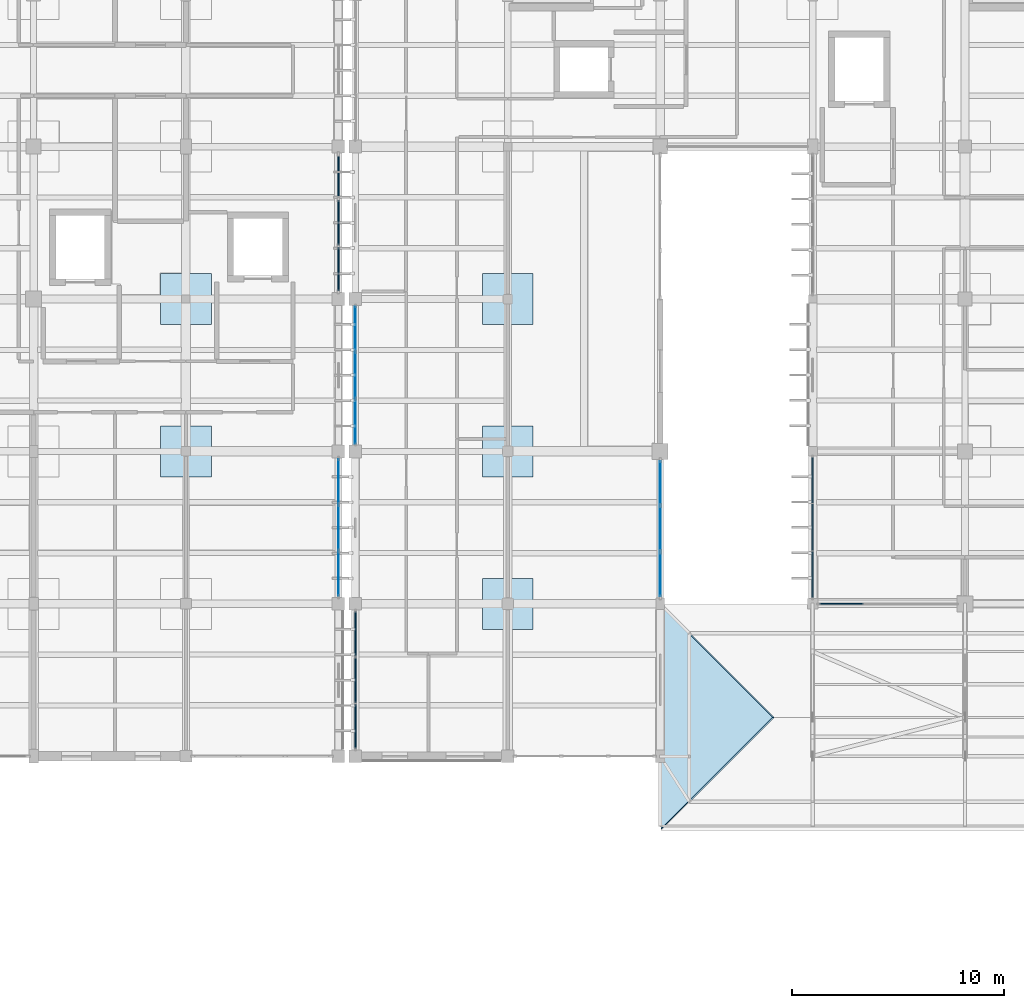
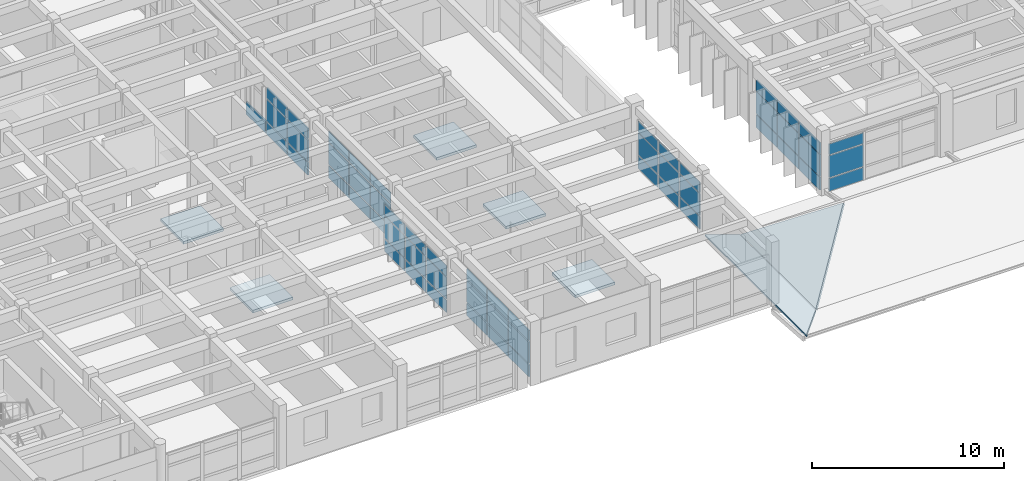
# One storey, part 50 of 100: 55 plates, 7 slabs, 8 elements without a shape of their own.
"""IFC4 building model written with IfcOpenShell, lengths in metres."""

from ifc_helpers import new_model, si_unit, direction, frame, origin, origin_2d, place, context, subcontext, project, spatial, polyline, rectangle, outline, extrude, material, layer, layer_set, type_object, element, aggregate, save


model = new_model("IFC4")

# Units and contexts
model_context = context("Model", 3, precision=1e-05, world=origin(), true_north=direction((0.0, 1.0)))
body_context = subcontext(model_context, "Body", "Model", "MODEL_VIEW")
ifc_project = project(units=[si_unit("LENGTHUNIT", "METRE"), si_unit("AREAUNIT", "SQUARE_METRE"), si_unit("VOLUMEUNIT", "CUBIC_METRE"), si_unit("PLANEANGLEUNIT", "RADIAN"), si_unit("MASSUNIT", "GRAM", prefix="KILO")], contexts=[model_context])

# Site, building, storey
site_placement = place(None, origin())
site = spatial("IfcSite", under=ifc_project, at=site_placement, CompositionType="ELEMENT")
building_placement = place(site_placement, origin())
building = spatial("IfcBuilding", under=site, at=building_placement, Name="Steenspoor Specialist Clinic", CompositionType="ELEMENT")
storey_placement = place(building_placement, frame((0.0, 0.0, 9.0)))
storey = spatial("IfcBuildingStorey", under=building, at=storey_placement, Name="L02", CompositionType="ELEMENT", Elevation=9.0)

# Curtain wall, plates
ifc_material_1 = material(Name="Thermally broken aluminium and low-emissivity glass", Category="aluminium")
curtain_wall_type_1 = type_object("IfcCurtainWallType", Name="CW-L00-480X415", PredefinedType="USERDEFINED", material=ifc_material_1)
curtain_wall_1_placement = place(storey_placement, origin())
curtain_wall_1 = element("IfcCurtainWall", 1, at=curtain_wall_1_placement, inside=storey, type_object=curtain_wall_type_1, Name="Unitised Curtain Wall CW-V4-L02-102", ObjectType="UNITISED GLAZING", PredefinedType="USERDEFINED")
ifc_material_2 = material(Name="Double low-emissivity insulated glass", Category="glass")
ifc_layer_1 = layer(ifc_material_2, 0.035888671875)
ifc_layer_set_1 = layer_set([ifc_layer_1], Name="Double low-emissivity insulated glass")
plate_type_1 = type_object("IfcPlateType", Name="CW-PAN-GL36", PredefinedType="CURTAIN_PANEL", material=ifc_layer_set_1)
plate_1_placement = place(storey_placement, frame((66.800048828125, 78.063232421875, 0.06494140625), z_axis=(0.0, 0.0, 1.0), x_axis=(0.0, -1.0, 0.0)))
plate_1 = element("IfcPlate", 2, at=plate_1_placement, type_object=plate_type_1, Name="CW-06 panel 1.1", PredefinedType="CURTAIN_PANEL", context=body_context, shape_type="SweptSolid", body=[
    extrude(rectangle(XDim=2.063232421875, YDim=0.035888671875, at=origin_2d()), origin(), (0.0, 0.0, 1.0), 0.802490234375),
])
plate_2_placement = place(storey_placement, frame((66.800048828125, 78.063232421875, 0.9326171875), z_axis=(0.0, 0.0, 1.0), x_axis=(0.0, -1.0, 0.0)))
plate_2 = element("IfcPlate", 3, at=plate_2_placement, type_object=plate_type_1, Name="CW-06 panel 1.2", PredefinedType="CURTAIN_PANEL", context=body_context, shape_type="SweptSolid", body=[
    extrude(rectangle(XDim=2.063232421875, YDim=0.035888671875, at=origin_2d()), origin(), (0.0, 0.0, 1.0), 1.385009765625),
])
plate_3_placement = place(storey_placement, frame((66.800048828125, 78.063232421875, 2.38232421875), z_axis=(0.0, 0.0, 1.0), x_axis=(0.0, -1.0, 0.0)))
plate_3 = element("IfcPlate", 4, at=plate_3_placement, type_object=plate_type_1, Name="CW-06 panel 1.3", PredefinedType="CURTAIN_PANEL", context=body_context, shape_type="SweptSolid", body=[
    extrude(rectangle(XDim=2.063232421875, YDim=0.035888671875, at=origin_2d()), origin(), (0.0, 0.0, 1.0), 0.6826171875),
])
plate_4_placement = place(storey_placement, frame((66.800048828125, 75.89990234375, 0.06494140625), z_axis=(0.0, 0.0, 1.0), x_axis=(0.0, -1.0, 0.0)))
plate_4 = element("IfcPlate", 5, at=plate_4_placement, type_object=plate_type_1, Name="CW-06 panel 2.1", PredefinedType="CURTAIN_PANEL", context=body_context, shape_type="SweptSolid", body=[
    extrude(rectangle(XDim=2.103271484375, YDim=0.035888671875, at=origin_2d()), origin(), (0.0, 0.0, 1.0), 0.802490234375),
])
plate_5_placement = place(storey_placement, frame((66.800048828125, 75.89990234375, 0.9326171875), z_axis=(0.0, 0.0, 1.0), x_axis=(0.0, -1.0, 0.0)))
plate_5 = element("IfcPlate", 6, at=plate_5_placement, type_object=plate_type_1, Name="CW-06 panel 2.2", PredefinedType="CURTAIN_PANEL", context=body_context, shape_type="SweptSolid", body=[
    extrude(rectangle(XDim=2.103271484375, YDim=0.035888671875, at=origin_2d()), origin(), (0.0, 0.0, 1.0), 1.385009765625),
])
plate_6_placement = place(storey_placement, frame((66.800048828125, 75.89990234375, 2.38232421875), z_axis=(0.0, 0.0, 1.0), x_axis=(0.0, -1.0, 0.0)))
plate_6 = element("IfcPlate", 7, at=plate_6_placement, type_object=plate_type_1, Name="CW-06 panel 2.3", PredefinedType="CURTAIN_PANEL", context=body_context, shape_type="SweptSolid", body=[
    extrude(rectangle(XDim=2.103271484375, YDim=0.035888671875, at=origin_2d()), origin(), (0.0, 0.0, 1.0), 0.6826171875),
])
plate_7_placement = place(storey_placement, frame((66.800048828125, 73.736572265625, 0.06494140625), z_axis=(0.0, 0.0, 1.0), x_axis=(0.0, -1.0, 0.0)))
plate_7 = element("IfcPlate", 8, at=plate_7_placement, type_object=plate_type_1, Name="CW-06 panel 3.1", PredefinedType="CURTAIN_PANEL", context=body_context, shape_type="SweptSolid", body=[
    extrude(rectangle(XDim=2.063232421875, YDim=0.035888671875, at=origin_2d()), origin(), (0.0, 0.0, 1.0), 0.802490234375),
])
plate_8_placement = place(storey_placement, frame((66.800048828125, 73.736572265625, 0.9326171875), z_axis=(0.0, 0.0, 1.0), x_axis=(0.0, -1.0, 0.0)))
plate_8 = element("IfcPlate", 9, at=plate_8_placement, type_object=plate_type_1, Name="CW-06 panel 3.2", PredefinedType="CURTAIN_PANEL", context=body_context, shape_type="SweptSolid", body=[
    extrude(rectangle(XDim=2.063232421875, YDim=0.035888671875, at=origin_2d()), origin(), (0.0, 0.0, 1.0), 1.385009765625),
])
plate_9_placement = place(storey_placement, frame((66.800048828125, 73.736572265625, 2.38232421875), z_axis=(0.0, 0.0, 1.0), x_axis=(0.0, -1.0, 0.0)))
plate_9 = element("IfcPlate", 10, at=plate_9_placement, type_object=plate_type_1, Name="CW-06 panel 3.3", PredefinedType="CURTAIN_PANEL", context=body_context, shape_type="SweptSolid", body=[
    extrude(rectangle(XDim=2.063232421875, YDim=0.035888671875, at=origin_2d()), origin(), (0.0, 0.0, 1.0), 0.6826171875),
])
aggregate(curtain_wall_1, [plate_1, plate_2, plate_3, plate_4, plate_5, plate_6, plate_7, plate_8, plate_9])

curtain_wall_type_2 = type_object("IfcCurtainWallType", Name="CW-TYP-660X355", PredefinedType="USERDEFINED", material=ifc_material_1)
curtain_wall_2_placement = place(storey_placement, origin())
curtain_wall_2 = element("IfcCurtainWall", 11, at=curtain_wall_2_placement, inside=storey, type_object=curtain_wall_type_2, Name="Unitised Curtain Wall CW-V4-L02-105", ObjectType="UNITISED GLAZING", PredefinedType="USERDEFINED")
plate_10_placement = place(storey_placement, frame((52.39990234375, 80.96630859375, 0.080078125), z_axis=(0.0, 0.0, 1.0), x_axis=(0.0, 1.0, 0.0)))
plate_10 = element("IfcPlate", 12, at=plate_10_placement, type_object=plate_type_1, Name="CW-09 panel 1.1", PredefinedType="CURTAIN_PANEL", context=body_context, shape_type="SweptSolid", body=[
    extrude(rectangle(XDim=2.1025390625, YDim=0.035888671875, at=origin_2d()), origin(), (0.0, 0.0, 1.0), 0.780029296875),
])
plate_11_placement = place(storey_placement, frame((52.39990234375, 80.96630859375, 0.93994140625), z_axis=(0.0, 0.0, 1.0), x_axis=(0.0, 1.0, 0.0)))
plate_11 = element("IfcPlate", 13, at=plate_11_placement, type_object=plate_type_1, Name="CW-09 panel 1.2", PredefinedType="CURTAIN_PANEL", context=body_context, shape_type="SweptSolid", body=[
    extrude(rectangle(XDim=2.1025390625, YDim=0.035888671875, at=origin_2d()), origin(), (0.0, 0.0, 1.0), 1.3701171875),
])
plate_12_placement = place(storey_placement, frame((52.39990234375, 80.96630859375, 2.39013671875), z_axis=(0.0, 0.0, 1.0), x_axis=(0.0, 1.0, 0.0)))
plate_12 = element("IfcPlate", 14, at=plate_12_placement, type_object=plate_type_1, Name="CW-09 panel 1.3", PredefinedType="CURTAIN_PANEL", context=body_context, shape_type="SweptSolid", body=[
    extrude(rectangle(XDim=2.1025390625, YDim=0.035888671875, at=origin_2d()), origin(), (0.0, 0.0, 1.0), 0.659912109375),
])
plate_13_placement = place(storey_placement, frame((52.39990234375, 83.14990234375, 0.080078125), z_axis=(0.0, 0.0, 1.0), x_axis=(0.0, 1.0, 0.0)))
plate_13 = element("IfcPlate", 15, at=plate_13_placement, type_object=plate_type_1, Name="CW-09 panel 2.1", PredefinedType="CURTAIN_PANEL", context=body_context, shape_type="SweptSolid", body=[
    extrude(rectangle(XDim=2.135009765625, YDim=0.035888671875, at=origin_2d()), origin(), (0.0, 0.0, 1.0), 0.780029296875),
])
plate_14_placement = place(storey_placement, frame((52.39990234375, 83.14990234375, 0.93994140625), z_axis=(0.0, 0.0, 1.0), x_axis=(0.0, 1.0, 0.0)))
plate_14 = element("IfcPlate", 16, at=plate_14_placement, type_object=plate_type_1, Name="CW-09 panel 2.2", PredefinedType="CURTAIN_PANEL", context=body_context, shape_type="SweptSolid", body=[
    extrude(rectangle(XDim=2.135009765625, YDim=0.035888671875, at=origin_2d()), origin(), (0.0, 0.0, 1.0), 1.3701171875),
])
plate_15_placement = place(storey_placement, frame((52.39990234375, 83.14990234375, 2.39013671875), z_axis=(0.0, 0.0, 1.0), x_axis=(0.0, 1.0, 0.0)))
plate_15 = element("IfcPlate", 17, at=plate_15_placement, type_object=plate_type_1, Name="CW-09 panel 2.3", PredefinedType="CURTAIN_PANEL", context=body_context, shape_type="SweptSolid", body=[
    extrude(rectangle(XDim=2.135009765625, YDim=0.035888671875, at=origin_2d()), origin(), (0.0, 0.0, 1.0), 0.659912109375),
])
plate_16_placement = place(storey_placement, frame((52.39990234375, 85.333740234375, 0.080078125), z_axis=(0.0, 0.0, 1.0), x_axis=(0.0, 1.0, 0.0)))
plate_16 = element("IfcPlate", 18, at=plate_16_placement, type_object=plate_type_1, Name="CW-09 panel 3.1", PredefinedType="CURTAIN_PANEL", context=body_context, shape_type="SweptSolid", body=[
    extrude(rectangle(XDim=2.1025390625, YDim=0.035888671875, at=origin_2d()), origin(), (0.0, 0.0, 1.0), 0.780029296875),
])
plate_17_placement = place(storey_placement, frame((52.39990234375, 85.333740234375, 0.93994140625), z_axis=(0.0, 0.0, 1.0), x_axis=(0.0, 1.0, 0.0)))
plate_17 = element("IfcPlate", 19, at=plate_17_placement, type_object=plate_type_1, Name="CW-09 panel 3.2", PredefinedType="CURTAIN_PANEL", context=body_context, shape_type="SweptSolid", body=[
    extrude(rectangle(XDim=2.1025390625, YDim=0.035888671875, at=origin_2d()), origin(), (0.0, 0.0, 1.0), 1.3701171875),
])
plate_18_placement = place(storey_placement, frame((52.39990234375, 85.333740234375, 2.39013671875), z_axis=(0.0, 0.0, 1.0), x_axis=(0.0, 1.0, 0.0)))
plate_18 = element("IfcPlate", 20, at=plate_18_placement, type_object=plate_type_1, Name="CW-09 panel 3.3", PredefinedType="CURTAIN_PANEL", context=body_context, shape_type="SweptSolid", body=[
    extrude(rectangle(XDim=2.1025390625, YDim=0.035888671875, at=origin_2d()), origin(), (0.0, 0.0, 1.0), 0.659912109375),
])
aggregate(curtain_wall_2, [plate_10, plate_11, plate_12, plate_13, plate_14, plate_15, plate_16, plate_17, plate_18])

curtain_wall_type_3 = type_object("IfcCurtainWallType", Name="CW-TYP-480X355", PredefinedType="USERDEFINED", material=ifc_material_1)
curtain_wall_3_placement = place(storey_placement, origin())
curtain_wall_3 = element("IfcCurtainWall", 21, at=curtain_wall_3_placement, inside=storey, type_object=curtain_wall_type_3, Name="Unitised Curtain Wall CW-V5-L02-156", ObjectType="UNITISED GLAZING", PredefinedType="USERDEFINED")
plate_19_placement = place(storey_placement, frame((51.60009765625, 78.1298828125, 0.070068359375), z_axis=(0.0, 0.0, 1.0), x_axis=(0.0, -1.0, 0.0)))
plate_19 = element("IfcPlate", 22, at=plate_19_placement, type_object=plate_type_1, Name="CW-12 panel 1.1", PredefinedType="CURTAIN_PANEL", context=body_context, shape_type="SweptSolid", body=[
    extrude(rectangle(XDim=2.080078125, YDim=0.035888671875, at=origin_2d()), origin(), (0.0, 0.0, 1.0), 0.794921875),
])
plate_20_placement = place(storey_placement, frame((51.60009765625, 78.1298828125, 0.93505859375), z_axis=(0.0, 0.0, 1.0), x_axis=(0.0, -1.0, 0.0)))
plate_20 = element("IfcPlate", 23, at=plate_20_placement, type_object=plate_type_1, Name="CW-12 panel 1.2", PredefinedType="CURTAIN_PANEL", context=body_context, shape_type="SweptSolid", body=[
    extrude(rectangle(XDim=2.080078125, YDim=0.035888671875, at=origin_2d()), origin(), (0.0, 0.0, 1.0), 1.3798828125),
])
plate_21_placement = place(storey_placement, frame((51.60009765625, 78.1298828125, 2.384765625), z_axis=(0.0, 0.0, 1.0), x_axis=(0.0, -1.0, 0.0)))
plate_21 = element("IfcPlate", 24, at=plate_21_placement, type_object=plate_type_1, Name="CW-12 panel 1.3", PredefinedType="CURTAIN_PANEL", context=body_context, shape_type="SweptSolid", body=[
    extrude(rectangle(XDim=2.080078125, YDim=0.035888671875, at=origin_2d()), origin(), (0.0, 0.0, 1.0), 0.675048828125),
])
plate_22_placement = place(storey_placement, frame((51.60009765625, 75.949951171875, 0.070068359375), z_axis=(0.0, 0.0, 1.0), x_axis=(0.0, -1.0, 0.0)))
plate_22 = element("IfcPlate", 25, at=plate_22_placement, type_object=plate_type_1, Name="CW-12 panel 2.1", PredefinedType="CURTAIN_PANEL", context=body_context, shape_type="SweptSolid", body=[
    extrude(rectangle(XDim=2.1201171875, YDim=0.035888671875, at=origin_2d()), origin(), (0.0, 0.0, 1.0), 0.794921875),
])
plate_23_placement = place(storey_placement, frame((51.60009765625, 75.949951171875, 0.93505859375), z_axis=(0.0, 0.0, 1.0), x_axis=(0.0, -1.0, 0.0)))
plate_23 = element("IfcPlate", 26, at=plate_23_placement, type_object=plate_type_1, Name="CW-12 panel 2.2", PredefinedType="CURTAIN_PANEL", context=body_context, shape_type="SweptSolid", body=[
    extrude(rectangle(XDim=2.1201171875, YDim=0.035888671875, at=origin_2d()), origin(), (0.0, 0.0, 1.0), 1.3798828125),
])
plate_24_placement = place(storey_placement, frame((51.60009765625, 75.949951171875, 2.384765625), z_axis=(0.0, 0.0, 1.0), x_axis=(0.0, -1.0, 0.0)))
plate_24 = element("IfcPlate", 27, at=plate_24_placement, type_object=plate_type_1, Name="CW-12 panel 2.3", PredefinedType="CURTAIN_PANEL", context=body_context, shape_type="SweptSolid", body=[
    extrude(rectangle(XDim=2.1201171875, YDim=0.035888671875, at=origin_2d()), origin(), (0.0, 0.0, 1.0), 0.675048828125),
])
plate_25_placement = place(storey_placement, frame((51.60009765625, 73.77001953125, 0.070068359375), z_axis=(0.0, 0.0, 1.0), x_axis=(0.0, -1.0, 0.0)))
plate_25 = element("IfcPlate", 28, at=plate_25_placement, type_object=plate_type_1, Name="CW-12 panel 3.1", PredefinedType="CURTAIN_PANEL", context=body_context, shape_type="SweptSolid", body=[
    extrude(rectangle(XDim=2.080078125, YDim=0.035888671875, at=origin_2d()), origin(), (0.0, 0.0, 1.0), 0.794921875),
])
plate_26_placement = place(storey_placement, frame((51.60009765625, 73.77001953125, 0.93505859375), z_axis=(0.0, 0.0, 1.0), x_axis=(0.0, -1.0, 0.0)))
plate_26 = element("IfcPlate", 29, at=plate_26_placement, type_object=plate_type_1, Name="CW-12 panel 3.2", PredefinedType="CURTAIN_PANEL", context=body_context, shape_type="SweptSolid", body=[
    extrude(rectangle(XDim=2.080078125, YDim=0.035888671875, at=origin_2d()), origin(), (0.0, 0.0, 1.0), 1.3798828125),
])
plate_27_placement = place(storey_placement, frame((51.60009765625, 73.77001953125, 2.384765625), z_axis=(0.0, 0.0, 1.0), x_axis=(0.0, -1.0, 0.0)))
plate_27 = element("IfcPlate", 30, at=plate_27_placement, type_object=plate_type_1, Name="CW-12 panel 3.3", PredefinedType="CURTAIN_PANEL", context=body_context, shape_type="SweptSolid", body=[
    extrude(rectangle(XDim=2.080078125, YDim=0.035888671875, at=origin_2d()), origin(), (0.0, 0.0, 1.0), 0.675048828125),
])
aggregate(curtain_wall_3, [plate_19, plate_20, plate_21, plate_22, plate_23, plate_24, plate_25, plate_26, plate_27])

curtain_wall_type_4 = type_object("IfcCurtainWallType", Name="CW-HALL-660X820", PredefinedType="USERDEFINED", material=ifc_material_1)
curtain_wall_4_placement = place(storey_placement, origin())
curtain_wall_4 = element("IfcCurtainWall", 31, at=curtain_wall_4_placement, inside=storey, type_object=curtain_wall_type_4, Name="Unitised Curtain Wall CW-V4-L02-097", ObjectType="UNITISED GLAZING", PredefinedType="USERDEFINED")
ifc_material_3 = material(Name="Triple acoustic laminated low-emissivity glass", Category="glass")
ifc_layer_2 = layer(ifc_material_3, 0.048095703125)
ifc_layer_set_2 = layer_set([ifc_layer_2], Name="Triple acoustic laminated low-emissivity glass")
plate_type_2 = type_object("IfcPlateType", Name="CW-PAN-GL48", PredefinedType="CURTAIN_PANEL", material=ifc_layer_set_2)
plate_28_placement = place(storey_placement, frame((75.36572265625, 72.35009765625, 0.06494140625), z_axis=(0.0, 0.0, 1.0), x_axis=(-1.0, 0.0, 0.0)))
plate_28 = element("IfcPlate", 32, at=plate_28_placement, type_object=plate_type_2, Name="CW-01 panel 3.1", PredefinedType="CURTAIN_PANEL", context=body_context, shape_type="SweptSolid", body=[
    extrude(rectangle(XDim=2.07177734375, YDim=0.048095703125, at=origin_2d()), origin(), (0.0, 0.0, 1.0), 0.802490234375),
])
plate_29_placement = place(storey_placement, frame((75.36572265625, 72.35009765625, 0.9326171875), z_axis=(0.0, 0.0, 1.0), x_axis=(-1.0, 0.0, 0.0)))
plate_29 = element("IfcPlate", 33, at=plate_29_placement, type_object=plate_type_2, Name="CW-01 panel 3.2", PredefinedType="CURTAIN_PANEL", context=body_context, shape_type="SweptSolid", body=[
    extrude(rectangle(XDim=2.07177734375, YDim=0.048095703125, at=origin_2d()), origin(), (0.0, 0.0, 1.0), 1.385009765625),
])
plate_30_placement = place(storey_placement, frame((75.36572265625, 72.35009765625, 2.38232421875), z_axis=(0.0, 0.0, 1.0), x_axis=(-1.0, 0.0, 0.0)))
plate_30 = element("IfcPlate", 34, at=plate_30_placement, type_object=plate_type_2, Name="CW-01 panel 3.3", PredefinedType="CURTAIN_PANEL", context=body_context, shape_type="SweptSolid", body=[
    extrude(rectangle(XDim=2.07177734375, YDim=0.048095703125, at=origin_2d()), origin(), (0.0, 0.0, 1.0), 0.6826171875),
])
aggregate(curtain_wall_4, [plate_28, plate_29, plate_30])

curtain_wall_type_5 = type_object("IfcCurtainWallType", Name="CW-HALL-650X820", PredefinedType="USERDEFINED", material=ifc_material_1)
curtain_wall_5_placement = place(storey_placement, origin())
curtain_wall_5 = element("IfcCurtainWall", 35, at=curtain_wall_5_placement, inside=storey, type_object=curtain_wall_type_5, Name="Unitised Curtain Wall CW-V4-L02-098", ObjectType="UNITISED GLAZING", PredefinedType="USERDEFINED")
ifc_material_4 = material(Name="Insulated glazed ceramic spandrel panel", Category="glass")
ifc_layer_3 = layer(ifc_material_4, 0.074951171875)
ifc_layer_set_3 = layer_set([ifc_layer_3], Name="Insulated glazed ceramic spandrel panel")
plate_type_3 = type_object("IfcPlateType", Name="CW-PAN-SP75", PredefinedType="CURTAIN_PANEL", material=ifc_layer_set_3)
plate_31_placement = place(storey_placement, frame((74.0, 73.73828125, 0.06005859375), z_axis=(0.0, 0.0, 1.0), x_axis=(0.0, 1.0, 0.0)))
plate_31 = element("IfcPlate", 36, at=plate_31_placement, type_object=plate_type_3, Name="CW-02 panel 1.1", PredefinedType="CURTAIN_PANEL", context=body_context, shape_type="SweptSolid", body=[
    extrude(rectangle(XDim=2.13671875, YDim=0.074951171875, at=origin_2d()), origin(), (0.0, 0.0, 1.0), 0.81005859375),
])
plate_32_placement = place(storey_placement, frame((74.0, 73.73828125, 0.93017578125), z_axis=(0.0, 0.0, 1.0), x_axis=(0.0, 1.0, 0.0)))
plate_32 = element("IfcPlate", 37, at=plate_32_placement, type_object=plate_type_3, Name="CW-02 panel 1.2", PredefinedType="CURTAIN_PANEL", context=body_context, shape_type="SweptSolid", body=[
    extrude(rectangle(XDim=2.13671875, YDim=0.074951171875, at=origin_2d()), origin(), (0.0, 0.0, 1.0), 1.389892578125),
])
plate_33_placement = place(storey_placement, frame((74.0, 73.73828125, 2.380126953125), z_axis=(0.0, 0.0, 1.0), x_axis=(0.0, 1.0, 0.0)))
plate_33 = element("IfcPlate", 38, at=plate_33_placement, type_object=plate_type_3, Name="CW-02 panel 1.3", PredefinedType="CURTAIN_PANEL", context=body_context, shape_type="SweptSolid", body=[
    extrude(rectangle(XDim=2.13671875, YDim=0.074951171875, at=origin_2d()), origin(), (0.0, 0.0, 1.0), 0.68994140625),
])
plate_34_placement = place(storey_placement, frame((74.0, 75.96240234375, 0.06005859375), z_axis=(0.0, 0.0, 1.0), x_axis=(0.0, 1.0, 0.0)))
plate_34 = element("IfcPlate", 39, at=plate_34_placement, type_object=plate_type_3, Name="CW-02 panel 2.1", PredefinedType="CURTAIN_PANEL", context=body_context, shape_type="SweptSolid", body=[
    extrude(rectangle(XDim=2.171630859375, YDim=0.074951171875, at=origin_2d()), origin(), (0.0, 0.0, 1.0), 0.81005859375),
])
plate_35_placement = place(storey_placement, frame((74.0, 75.96240234375, 0.93017578125), z_axis=(0.0, 0.0, 1.0), x_axis=(0.0, 1.0, 0.0)))
plate_35 = element("IfcPlate", 40, at=plate_35_placement, type_object=plate_type_3, Name="CW-02 panel 2.2", PredefinedType="CURTAIN_PANEL", context=body_context, shape_type="SweptSolid", body=[
    extrude(rectangle(XDim=2.171630859375, YDim=0.074951171875, at=origin_2d()), origin(), (0.0, 0.0, 1.0), 1.389892578125),
])
plate_36_placement = place(storey_placement, frame((74.0, 75.96240234375, 2.380126953125), z_axis=(0.0, 0.0, 1.0), x_axis=(0.0, 1.0, 0.0)))
plate_36 = element("IfcPlate", 41, at=plate_36_placement, type_object=plate_type_3, Name="CW-02 panel 2.3", PredefinedType="CURTAIN_PANEL", context=body_context, shape_type="SweptSolid", body=[
    extrude(rectangle(XDim=2.171630859375, YDim=0.074951171875, at=origin_2d()), origin(), (0.0, 0.0, 1.0), 0.68994140625),
])
plate_37_placement = place(storey_placement, frame((74.0, 78.186767578125, 0.06005859375), z_axis=(0.0, 0.0, 1.0), x_axis=(0.0, 1.0, 0.0)))
plate_37 = element("IfcPlate", 42, at=plate_37_placement, type_object=plate_type_3, Name="CW-02 panel 3.1", PredefinedType="CURTAIN_PANEL", context=body_context, shape_type="SweptSolid", body=[
    extrude(rectangle(XDim=2.13671875, YDim=0.074951171875, at=origin_2d()), origin(), (0.0, 0.0, 1.0), 0.81005859375),
])
plate_38_placement = place(storey_placement, frame((74.0, 78.186767578125, 0.93017578125), z_axis=(0.0, 0.0, 1.0), x_axis=(0.0, 1.0, 0.0)))
plate_38 = element("IfcPlate", 43, at=plate_38_placement, type_object=plate_type_3, Name="CW-02 panel 3.2", PredefinedType="CURTAIN_PANEL", context=body_context, shape_type="SweptSolid", body=[
    extrude(rectangle(XDim=2.13671875, YDim=0.074951171875, at=origin_2d()), origin(), (0.0, 0.0, 1.0), 1.389892578125),
])
plate_39_placement = place(storey_placement, frame((74.0, 78.186767578125, 2.380126953125), z_axis=(0.0, 0.0, 1.0), x_axis=(0.0, 1.0, 0.0)))
plate_39 = element("IfcPlate", 44, at=plate_39_placement, type_object=plate_type_3, Name="CW-02 panel 3.3", PredefinedType="CURTAIN_PANEL", context=body_context, shape_type="SweptSolid", body=[
    extrude(rectangle(XDim=2.13671875, YDim=0.074951171875, at=origin_2d()), origin(), (0.0, 0.0, 1.0), 0.68994140625),
])
aggregate(curtain_wall_5, [plate_31, plate_32, plate_33, plate_34, plate_35, plate_36, plate_37, plate_38, plate_39])

curtain_wall_type_6 = type_object("IfcCurtainWallType", Name="CW-L00-240X415", PredefinedType="USERDEFINED", material=ifc_material_1)
curtain_wall_6_placement = place(storey_placement, origin())
curtain_wall_6 = element("IfcCurtainWall", 45, at=curtain_wall_6_placement, inside=storey, type_object=curtain_wall_type_6, Name="Unitised Curtain Wall CW-V4-L02-104", ObjectType="UNITISED GLAZING", PredefinedType="USERDEFINED")
plate_40_placement = place(storey_placement, frame((52.39990234375, 66.5673828125, 0.08984375), z_axis=(0.0, 0.0, 1.0), x_axis=(0.0, 1.0, 0.0)))
plate_40 = element("IfcPlate", 46, at=plate_40_placement, type_object=plate_type_3, Name="CW-08 panel 1.1", PredefinedType="CURTAIN_PANEL", context=body_context, shape_type="SweptSolid", body=[
    extrude(rectangle(XDim=2.094970703125, YDim=0.074951171875, at=origin_2d()), origin(), (0.0, 0.0, 1.0), 0.764892578125),
])
plate_41_placement = place(storey_placement, frame((52.39990234375, 66.5673828125, 0.94482421875), z_axis=(0.0, 0.0, 1.0), x_axis=(0.0, 1.0, 0.0)))
plate_41 = element("IfcPlate", 47, at=plate_41_placement, type_object=plate_type_3, Name="CW-08 panel 1.2", PredefinedType="CURTAIN_PANEL", context=body_context, shape_type="SweptSolid", body=[
    extrude(rectangle(XDim=2.094970703125, YDim=0.074951171875, at=origin_2d()), origin(), (0.0, 0.0, 1.0), 1.360107421875),
])
plate_42_placement = place(storey_placement, frame((52.39990234375, 66.5673828125, 2.39501953125), z_axis=(0.0, 0.0, 1.0), x_axis=(0.0, 1.0, 0.0)))
plate_42 = element("IfcPlate", 48, at=plate_42_placement, type_object=plate_type_3, Name="CW-08 panel 1.3", PredefinedType="CURTAIN_PANEL", context=body_context, shape_type="SweptSolid", body=[
    extrude(rectangle(XDim=2.094970703125, YDim=0.074951171875, at=origin_2d()), origin(), (0.0, 0.0, 1.0), 0.64501953125),
])
plate_43_placement = place(storey_placement, frame((52.39990234375, 68.75, 0.08984375), z_axis=(0.0, 0.0, 1.0), x_axis=(0.0, 1.0, 0.0)))
plate_43 = element("IfcPlate", 49, at=plate_43_placement, type_object=plate_type_3, Name="CW-08 panel 2.1", PredefinedType="CURTAIN_PANEL", context=body_context, shape_type="SweptSolid", body=[
    extrude(rectangle(XDim=2.1298828125, YDim=0.074951171875, at=origin_2d()), origin(), (0.0, 0.0, 1.0), 0.764892578125),
])
plate_44_placement = place(storey_placement, frame((52.39990234375, 68.75, 0.94482421875), z_axis=(0.0, 0.0, 1.0), x_axis=(0.0, 1.0, 0.0)))
plate_44 = element("IfcPlate", 50, at=plate_44_placement, type_object=plate_type_3, Name="CW-08 panel 2.2", PredefinedType="CURTAIN_PANEL", context=body_context, shape_type="SweptSolid", body=[
    extrude(rectangle(XDim=2.1298828125, YDim=0.074951171875, at=origin_2d()), origin(), (0.0, 0.0, 1.0), 1.360107421875),
])
plate_45_placement = place(storey_placement, frame((52.39990234375, 68.75, 2.39501953125), z_axis=(0.0, 0.0, 1.0), x_axis=(0.0, 1.0, 0.0)))
plate_45 = element("IfcPlate", 51, at=plate_45_placement, type_object=plate_type_3, Name="CW-08 panel 2.3", PredefinedType="CURTAIN_PANEL", context=body_context, shape_type="SweptSolid", body=[
    extrude(rectangle(XDim=2.1298828125, YDim=0.074951171875, at=origin_2d()), origin(), (0.0, 0.0, 1.0), 0.64501953125),
])
plate_46_placement = place(storey_placement, frame((52.39990234375, 70.9326171875, 0.08984375), z_axis=(0.0, 0.0, 1.0), x_axis=(0.0, 1.0, 0.0)))
plate_46 = element("IfcPlate", 52, at=plate_46_placement, type_object=plate_type_3, Name="CW-08 panel 3.1", PredefinedType="CURTAIN_PANEL", context=body_context, shape_type="SweptSolid", body=[
    extrude(rectangle(XDim=2.094970703125, YDim=0.074951171875, at=origin_2d()), origin(), (0.0, 0.0, 1.0), 0.764892578125),
])
plate_47_placement = place(storey_placement, frame((52.39990234375, 70.9326171875, 0.94482421875), z_axis=(0.0, 0.0, 1.0), x_axis=(0.0, 1.0, 0.0)))
plate_47 = element("IfcPlate", 53, at=plate_47_placement, type_object=plate_type_3, Name="CW-08 panel 3.2", PredefinedType="CURTAIN_PANEL", context=body_context, shape_type="SweptSolid", body=[
    extrude(rectangle(XDim=2.094970703125, YDim=0.074951171875, at=origin_2d()), origin(), (0.0, 0.0, 1.0), 1.360107421875),
])
plate_48_placement = place(storey_placement, frame((52.39990234375, 70.9326171875, 2.39501953125), z_axis=(0.0, 0.0, 1.0), x_axis=(0.0, 1.0, 0.0)))
plate_48 = element("IfcPlate", 54, at=plate_48_placement, type_object=plate_type_3, Name="CW-08 panel 3.3", PredefinedType="CURTAIN_PANEL", context=body_context, shape_type="SweptSolid", body=[
    extrude(rectangle(XDim=2.094970703125, YDim=0.074951171875, at=origin_2d()), origin(), (0.0, 0.0, 1.0), 0.64501953125),
])
aggregate(curtain_wall_6, [plate_40, plate_41, plate_42, plate_43, plate_44, plate_45, plate_46, plate_47, plate_48])

curtain_wall_type_7 = type_object("IfcCurtainWallType", Name="CW-TYP-540X355", PredefinedType="USERDEFINED", material=ifc_material_1)
curtain_wall_7_placement = place(storey_placement, origin())
curtain_wall_7 = element("IfcCurtainWall", 55, at=curtain_wall_7_placement, inside=storey, type_object=curtain_wall_type_7, Name="Unitised Curtain Wall CW-V5-L02-155", ObjectType="UNITISED GLAZING", PredefinedType="USERDEFINED")
plate_49_placement = place(storey_placement, frame((51.60009765625, 92.527587890625, 0.080078125), z_axis=(0.0, 0.0, 1.0), x_axis=(0.0, -1.0, 0.0)))
plate_49 = element("IfcPlate", 56, at=plate_49_placement, type_object=plate_type_3, Name="CW-11 panel 1.1", PredefinedType="CURTAIN_PANEL", context=body_context, shape_type="SweptSolid", body=[
    extrude(rectangle(XDim=2.06494140625, YDim=0.074951171875, at=origin_2d()), origin(), (0.0, 0.0, 1.0), 0.780029296875),
])
plate_50_placement = place(storey_placement, frame((51.60009765625, 90.35009765625, 0.080078125), z_axis=(0.0, 0.0, 1.0), x_axis=(0.0, -1.0, 0.0)))
plate_50 = element("IfcPlate", 57, at=plate_50_placement, type_object=plate_type_3, Name="CW-11 panel 2.1", PredefinedType="CURTAIN_PANEL", context=body_context, shape_type="SweptSolid", body=[
    extrude(rectangle(XDim=2.110107421875, YDim=0.074951171875, at=origin_2d()), origin(), (0.0, 0.0, 1.0), 0.780029296875),
])
plate_51_placement = place(storey_placement, frame((51.60009765625, 90.35009765625, 0.93994140625), z_axis=(0.0, 0.0, 1.0), x_axis=(0.0, -1.0, 0.0)))
plate_51 = element("IfcPlate", 58, at=plate_51_placement, type_object=plate_type_3, Name="CW-11 panel 2.2", PredefinedType="CURTAIN_PANEL", context=body_context, shape_type="SweptSolid", body=[
    extrude(rectangle(XDim=2.110107421875, YDim=0.074951171875, at=origin_2d()), origin(), (0.0, 0.0, 1.0), 1.3701171875),
])
plate_52_placement = place(storey_placement, frame((51.60009765625, 90.35009765625, 2.39013671875), z_axis=(0.0, 0.0, 1.0), x_axis=(0.0, -1.0, 0.0)))
plate_52 = element("IfcPlate", 59, at=plate_52_placement, type_object=plate_type_3, Name="CW-11 panel 2.3", PredefinedType="CURTAIN_PANEL", context=body_context, shape_type="SweptSolid", body=[
    extrude(rectangle(XDim=2.110107421875, YDim=0.074951171875, at=origin_2d()), origin(), (0.0, 0.0, 1.0), 0.659912109375),
])
plate_53_placement = place(storey_placement, frame((51.60009765625, 88.172607421875, 0.080078125), z_axis=(0.0, 0.0, 1.0), x_axis=(0.0, -1.0, 0.0)))
plate_53 = element("IfcPlate", 60, at=plate_53_placement, type_object=plate_type_3, Name="CW-11 panel 3.1", PredefinedType="CURTAIN_PANEL", context=body_context, shape_type="SweptSolid", body=[
    extrude(rectangle(XDim=2.06494140625, YDim=0.074951171875, at=origin_2d()), origin(), (0.0, 0.0, 1.0), 0.780029296875),
])
plate_54_placement = place(storey_placement, frame((51.60009765625, 88.172607421875, 0.93994140625), z_axis=(0.0, 0.0, 1.0), x_axis=(0.0, -1.0, 0.0)))
plate_54 = element("IfcPlate", 61, at=plate_54_placement, type_object=plate_type_3, Name="CW-11 panel 3.2", PredefinedType="CURTAIN_PANEL", context=body_context, shape_type="SweptSolid", body=[
    extrude(rectangle(XDim=2.06494140625, YDim=0.074951171875, at=origin_2d()), origin(), (0.0, 0.0, 1.0), 1.3701171875),
])
plate_55_placement = place(storey_placement, frame((51.60009765625, 88.172607421875, 2.39013671875), z_axis=(0.0, 0.0, 1.0), x_axis=(0.0, -1.0, 0.0)))
plate_55 = element("IfcPlate", 62, at=plate_55_placement, type_object=plate_type_3, Name="CW-11 panel 3.3", PredefinedType="CURTAIN_PANEL", context=body_context, shape_type="SweptSolid", body=[
    extrude(rectangle(XDim=2.06494140625, YDim=0.074951171875, at=origin_2d()), origin(), (0.0, 0.0, 1.0), 0.659912109375),
])
aggregate(curtain_wall_7, [plate_49, plate_50, plate_51, plate_52, plate_53, plate_54, plate_55])

# Slabs
ifc_material_5 = material(Name="Concrete C35/45", Category="concrete")
ifc_layer_4 = layer(ifc_material_5, 0.169921875)
ifc_layer_set_4 = layer_set([ifc_layer_4], Name="Concrete C35/45")
slab_type_1 = type_object("IfcSlabType", Name="SL-DROP-170", PredefinedType="USERDEFINED", material=ifc_layer_set_4)
slab_1_placement = place(storey_placement, frame((0.0, 0.0, -0.419921875)))
element("IfcSlab", 63, at=slab_1_placement, inside=storey, type_object=slab_type_1, Name="Column Drop Panel DROP-V4-L02-036", ObjectType="DROP PANEL", PredefinedType="USERDEFINED", context=body_context, shape_type="SweptSolid", body=[
    extrude(outline(polyline([(60.800048828125, 71.14990234375), (60.800048828125, 73.550048828125), (58.39990234375, 73.550048828125), (58.39990234375, 71.14990234375), (60.800048828125, 71.14990234375)])), origin(), (0.0, 0.0, 1.0), 0.169921875),
])
slab_2_placement = place(storey_placement, frame((0.0, 0.0, -0.419921875)))
element("IfcSlab", 64, at=slab_2_placement, inside=storey, type_object=slab_type_1, Name="Column Drop Panel DROP-V4-L02-037", ObjectType="DROP PANEL", PredefinedType="USERDEFINED", context=body_context, shape_type="SweptSolid", body=[
    extrude(outline(polyline([(60.800048828125, 78.35009765625), (60.800048828125, 80.75), (58.39990234375, 80.75), (58.39990234375, 78.35009765625), (60.800048828125, 78.35009765625)])), origin(), (0.0, 0.0, 1.0), 0.169921875),
])
slab_3_placement = place(storey_placement, frame((0.0, 0.0, -0.419921875)))
element("IfcSlab", 65, at=slab_3_placement, inside=storey, type_object=slab_type_1, Name="Column Drop Panel DROP-V4-L02-038", ObjectType="DROP PANEL", PredefinedType="USERDEFINED", context=body_context, shape_type="SweptSolid", body=[
    extrude(outline(polyline([(60.800048828125, 85.550048828125), (60.800048828125, 87.949951171875), (58.39990234375, 87.949951171875), (58.39990234375, 85.550048828125), (60.800048828125, 85.550048828125)])), origin(), (0.0, 0.0, 1.0), 0.169921875),
])
slab_4_placement = place(storey_placement, frame((0.0, 0.0, -0.419921875)))
element("IfcSlab", 66, at=slab_4_placement, inside=storey, type_object=slab_type_1, Name="Column Drop Panel DROP-V5-L02-115", ObjectType="DROP PANEL", PredefinedType="USERDEFINED", context=body_context, shape_type="SweptSolid", body=[
    extrude(outline(polyline([(45.60009765625, 78.35009765625), (45.60009765625, 80.75), (43.199951171875, 80.75), (43.199951171875, 78.35009765625), (45.60009765625, 78.35009765625)])), origin(), (0.0, 0.0, 1.0), 0.169921875),
])
slab_5_placement = place(storey_placement, frame((0.0, 0.0, -0.419921875)))
element("IfcSlab", 67, at=slab_5_placement, inside=storey, type_object=slab_type_1, Name="Column Drop Panel DROP-V5-L02-116", ObjectType="DROP PANEL", PredefinedType="USERDEFINED", context=body_context, shape_type="SweptSolid", body=[
    extrude(outline(polyline([(45.60009765625, 85.550048828125), (45.60009765625, 87.949951171875), (43.199951171875, 87.949951171875), (43.199951171875, 85.550048828125), (45.60009765625, 85.550048828125)])), origin(), (0.0, 0.0, 1.0), 0.169921875),
])

# Roof, slabs
ifc_material_6 = material(Name="Extruded terracotta clay roof tile", Category="masonry")
roof_type = type_object("IfcRoofType", Name="ROOF-HIP-TIER", PredefinedType="HIP_ROOF", material=ifc_material_6)
roof_placement = place(storey_placement, origin())
roof = element("IfcRoof", 68, at=roof_placement, inside=storey, type_object=roof_type, Name="Tiered Hipped Roof V4T1", PredefinedType="HIP_ROOF")
ifc_layer_5 = layer(ifc_material_5, 0.14990234375)
ifc_layer_set_5 = layer_set([ifc_layer_5], Name="Concrete C35/45")
slab_type_2 = type_object("IfcSlabType", Name="SL-ROOF-150", PredefinedType="ROOF", material=ifc_layer_set_5)
slab_6_placement = place(storey_placement, frame((68.1708984375, 70.919677734375, 0.33447265625), z_axis=(-0.242036762378, 0.0, 0.970267079549), x_axis=(-0.69635668215, 0.69635668215, -0.173708786334)))
slab_6 = element("IfcSlab", 69, at=slab_6_placement, type_object=slab_type_2, Name="Hipped Roof Slab RSLAB-V4T1-SKW", PredefinedType="ROOF", context=body_context, shape_type="SweptSolid", body=[
    extrude(outline(polyline([(0.0, 0.0), (1.9254792075231886, -6.245004513516506e-17), (-5.421797826774714, 7.572427416284165), (-5.479898665953775, 5.647824997317895), (0.0, 0.0)])), origin(), (0.0, 0.0, -1.0), 0.14990234375),
])
slab_7_placement = place(storey_placement, frame((72.105712890625, 66.985107421875, 3.354248046875), z_axis=(-0.609438459598, 0.0, 0.792833377175), x_axis=(-0.621279737482, 0.621241011575, -0.47756789395)))
slab_7 = element("IfcSlab", 70, at=slab_7_placement, type_object=slab_type_2, Name="Hipped Roof Slab RSLAB-V4T1-W", PredefinedType="ROOF", context=body_context, shape_type="SweptSolid", body=[
    extrude(outline(polyline([(0.0, 0.0), (6.304322852611763, 4.440892098500626e-16), (1.437985485332931, 6.138289402509657), (0.0, 0.0)])), origin(), (0.0, 0.0, -1.0), 0.14990234375),
])
aggregate(roof, [slab_6, slab_7])

save(model, "model.ifc")
